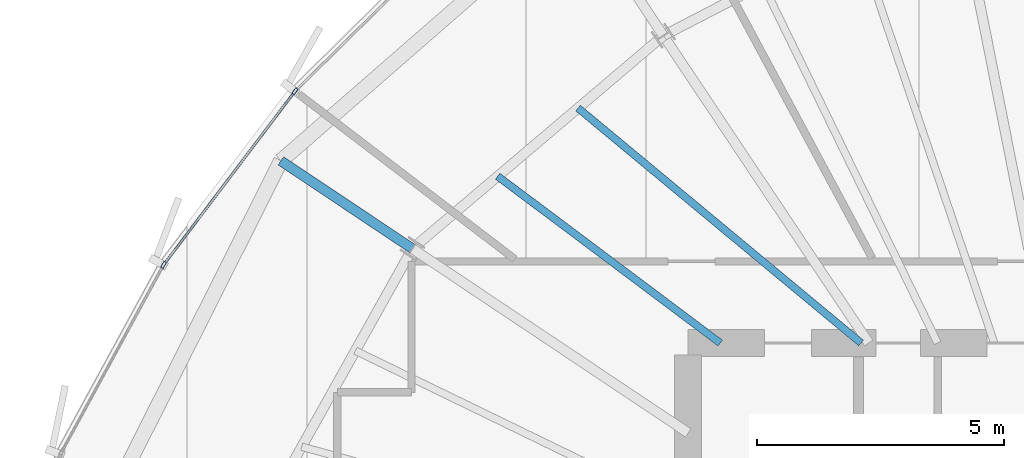
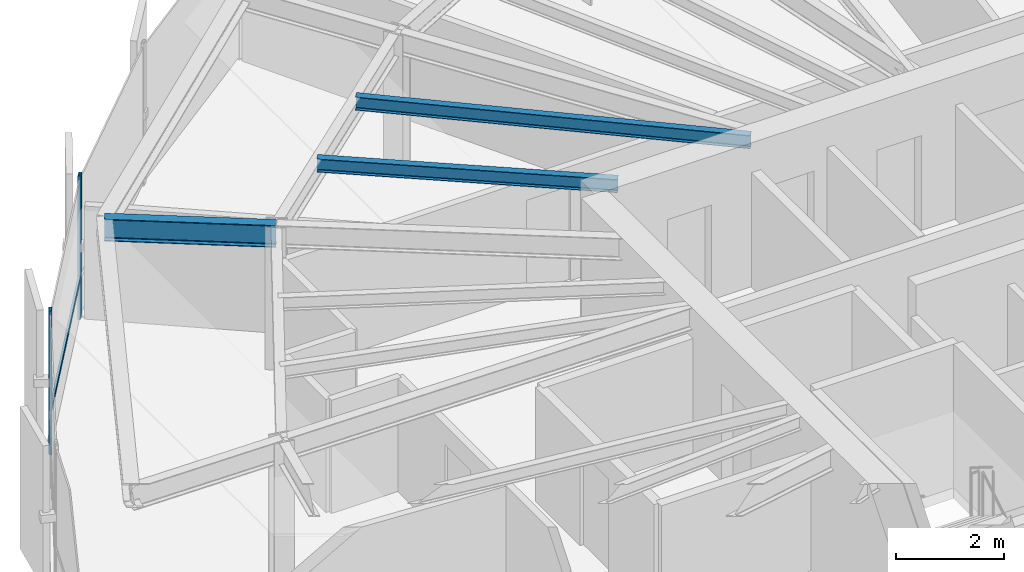
# One storey, part 21 of 36: 3 beams, 3 members, 1 element without a shape of its own.
"""IFC4 building model written with IfcOpenShell, lengths in metres."""

from ifc_helpers import new_model, si_unit, direction, frame, origin, origin_2d, place, context, subcontext, project, spatial, hollow_rectangle, i_section, extrude, source, transform, mapped, material, layer, layer_set, material_profile, profile_set, type_object, element, aggregate, save


model = new_model("IFC4")

# Units and contexts
model_context = context("Model", 3, precision=1e-05, world=origin(), true_north=direction((0.0, 1.0)))
body_context = subcontext(model_context, "Body", "Model", "MODEL_VIEW")
ifc_project = project(units=[si_unit("LENGTHUNIT", "METRE"), si_unit("AREAUNIT", "SQUARE_METRE"), si_unit("VOLUMEUNIT", "CUBIC_METRE"), si_unit("PLANEANGLEUNIT", "RADIAN"), si_unit("MASSUNIT", "GRAM", prefix="KILO"), si_unit("THERMODYNAMICTEMPERATUREUNIT", "KELVIN")], contexts=[model_context])

# Site, building, storey
site_placement = place(None, origin())
site = spatial("IfcSite", under=ifc_project, at=site_placement, CompositionType="ELEMENT")
building_placement = place(site_placement, origin())
building = spatial("IfcBuilding", under=site, at=building_placement, Name="Kethvar Cultural Tower", CompositionType="ELEMENT")
storey_placement = place(building_placement, frame((0.0, 0.0, 197.39990234375)))
storey = spatial("IfcBuildingStorey", under=building, at=storey_placement, Name="L51", CompositionType="ELEMENT", Elevation=197.39990234375)

# Beams
ifc_material_1 = material(Name="Steel S355J2", Category="steel")
ifc_material_profile_1 = material_profile(ifc_material_1, i_section(OverallWidth=0.199951171875, OverallDepth=0.5, WebThickness=0.01025390625, FlangeThickness=0.01611328125, FilletRadius=0.02099609375, at=origin_2d()), Name="Steel S355J2 — IPE500")
ifc_profile_set_1 = profile_set([ifc_material_profile_1], Name="Steel S355J2 — IPE500")
beam_type_1 = type_object("IfcBeamType", Name="BM-IPE500", PredefinedType="BEAM", material=ifc_profile_set_1)
shared_shape_1 = source(origin(), body_context, "Body", "SweptSolid", [
    extrude(i_section(OverallWidth=0.199951171875, OverallDepth=0.5, WebThickness=0.01025390625, FlangeThickness=0.01611328125, FilletRadius=0.02099609375, at=origin_2d()), origin(), (0.0, 0.0, 1.0), 3.199951171875),
])
beam_1_placement = place(storey_placement, frame((32.418212890625, 37.409423828125, 3.008056640625), z_axis=(-0.831462943996, 0.555580212716, 0.0), x_axis=(-0.555580212716, -0.831462943996, 0.0)))
element("IfcBeam", 1, at=beam_1_placement, inside=storey, type_object=beam_type_1, Name="L51 Perimeter Cantilever Beam RC-07", PredefinedType="BEAM", context=body_context, shape_type="MappedRepresentation", body=[
    mapped(shared_shape_1, transform((0.0, 0.0, 0.0), scale=1.0)),
])
ifc_material_profile_2 = material_profile(ifc_material_1, i_section(OverallWidth=0.14990234375, OverallDepth=0.300048828125, WebThickness=0.007080078125, FlangeThickness=0.0107421875, FilletRadius=0.014892578125, at=origin_2d()), Name="Steel S355J2 — IPE300")
ifc_profile_set_2 = profile_set([ifc_material_profile_2], Name="Steel S355J2 — IPE300")
beam_type_2 = type_object("IfcBeamType", Name="BM-J300", PredefinedType="JOIST", material=ifc_profile_set_2)
shared_shape_2 = source(origin(), body_context, "Body", "SweptSolid", [
    extrude(i_section(OverallWidth=0.14990234375, OverallDepth=0.300048828125, WebThickness=0.007080078125, FlangeThickness=0.0107421875, FilletRadius=0.014892578125, at=origin_2d()), origin(), (0.0, 0.0, 1.0), 7.444580078125),
])
beam_2_placement = place(storey_placement, frame((41.5, 35.5, 3.108154296875), z_axis=(-0.769483166858, 0.638667093188, 0.0), x_axis=(-0.638667093188, -0.769483166858, 0.0)))
element("IfcBeam", 2, at=beam_2_placement, inside=storey, type_object=beam_type_2, Name="L51 Composite Floor Joist J-06A", PredefinedType="JOIST", context=body_context, shape_type="MappedRepresentation", body=[
    mapped(shared_shape_2, transform((0.0, 0.0, 0.0), scale=1.0)),
])
shared_shape_3 = source(origin(), body_context, "Body", "SweptSolid", [
    extrude(i_section(OverallWidth=0.14990234375, OverallDepth=0.300048828125, WebThickness=0.007080078125, FlangeThickness=0.0107421875, FilletRadius=0.014892578125, at=origin_2d()), origin(), (0.0, 0.0, 1.0), 5.628662109375),
])
beam_3_placement = place(storey_placement, frame((38.64990234375, 35.5, 3.108154296875), z_axis=(-0.800260171956, 0.599652947279, 0.0), x_axis=(-0.599652947279, -0.800260171956, 0.0)))
element("IfcBeam", 3, at=beam_3_placement, inside=storey, type_object=beam_type_2, Name="L51 Composite Floor Joist J-06B", PredefinedType="JOIST", context=body_context, shape_type="MappedRepresentation", body=[
    mapped(shared_shape_3, transform((0.0, 0.0, 0.0), scale=1.0)),
])

# Curtain wall, members
ifc_material_2 = material(Name="Aluminium 6063-T6", Category="aluminium")
ifc_layer = layer(ifc_material_2, 0.179931640625, Name="Aluminium 6063-T6", Category="aluminium")
ifc_layer_set = layer_set([ifc_layer], Name="Aluminium 6063-T6 (180 mm)")
curtain_wall_type = type_object("IfcCurtainWallType", Name="CW-SYS-04-Z34", PredefinedType="NOTDEFINED", material=ifc_layer_set)
curtain_wall_placement = place(storey_placement, origin())
curtain_wall = element("IfcCurtainWall", 4, at=curtain_wall_placement, inside=storey, type_object=curtain_wall_type, Name="L51 Curtain Wall Run 02", PredefinedType="NOTDEFINED")
ifc_material_profile_3 = material_profile(ifc_material_2, hollow_rectangle(XDim=0.06005859375, YDim=0.139892578125, WallThickness=0.0048828125, at=origin_2d()), Name="Aluminium 6063-T6 — RHS140x60x5")
ifc_profile_set_3 = profile_set([ifc_material_profile_3], Name="Aluminium 6063-T6 — RHS140x60x5")
member_type_1 = type_object("IfcMemberType", Name="CW-SYS-04-Z34-MUL", PredefinedType="MULLION", material=ifc_profile_set_3)
shared_shape_4 = source(origin(), body_context, "Body", "SweptSolid", [
    extrude(hollow_rectangle(XDim=0.06005859375, YDim=0.139892578125, WallThickness=0.0048828125, at=origin_2d()), origin(), (0.0, 0.0, 1.0), 3.260009765625),
])
member_1_placement = place(storey_placement, frame((30.0419921875, 40.594970703125, 0.0), z_axis=(0.0, 0.0, 1.0), x_axis=(0.797468106507, -0.603361101749, 0.0)))
member_1 = element("IfcMember", 5, at=member_1_placement, type_object=member_type_1, Name="CW-L51-R02 Mullion 5", PredefinedType="MULLION", context=body_context, shape_type="MappedRepresentation", body=[
    mapped(shared_shape_4, transform((0.0, 0.0, 0.0), scale=1.0)),
])
member_2_placement = place(storey_placement, frame((27.38134765625, 37.08056640625, 0.0), z_axis=(0.0, 0.0, 1.0), x_axis=(0.878141667382, -0.478400681446, 0.0)))
member_2 = element("IfcMember", 6, at=member_2_placement, type_object=member_type_1, Name="CW-L51-R02 Mullion 6", PredefinedType="MULLION", context=body_context, shape_type="MappedRepresentation", body=[
    mapped(shared_shape_4, transform((0.0, 0.0, 0.0), scale=1.0)),
])
ifc_material_profile_4 = material_profile(ifc_material_2, hollow_rectangle(XDim=0.050048828125, YDim=0.10009765625, WallThickness=0.00390625, at=origin_2d()), Name="Aluminium 6063-T6 — RHS100x50x4")
ifc_profile_set_4 = profile_set([ifc_material_profile_4], Name="Aluminium 6063-T6 — RHS100x50x4")
member_type_2 = type_object("IfcMemberType", Name="CW-SYS-04-Z34-TRN", PredefinedType="USERDEFINED", material=ifc_profile_set_4)
shared_shape_5 = source(origin(), body_context, "Body", "SweptSolid", [
    extrude(hollow_rectangle(XDim=0.050048828125, YDim=0.10009765625, WallThickness=0.00390625, at=origin_2d()), origin(), (0.0, 0.0, 1.0), 4.337890625),
])
member_3_placement = place(storey_placement, frame((30.015869140625, 40.560546875, 0.9501953125), z_axis=(-0.603389472373, -0.797446640616, 0.0), x_axis=(0.797446640616, -0.603389472373, 0.0)))
member_3 = element("IfcMember", 7, at=member_3_placement, type_object=member_type_2, Name="CW-L51-R02 Transom 5", ObjectType="TRANSOM", PredefinedType="USERDEFINED", context=body_context, shape_type="MappedRepresentation", body=[
    mapped(shared_shape_5, transform((0.0, 0.0, 0.0), scale=1.0)),
])
aggregate(curtain_wall, [member_1, member_2, member_3])

save(model, "model.ifc")
